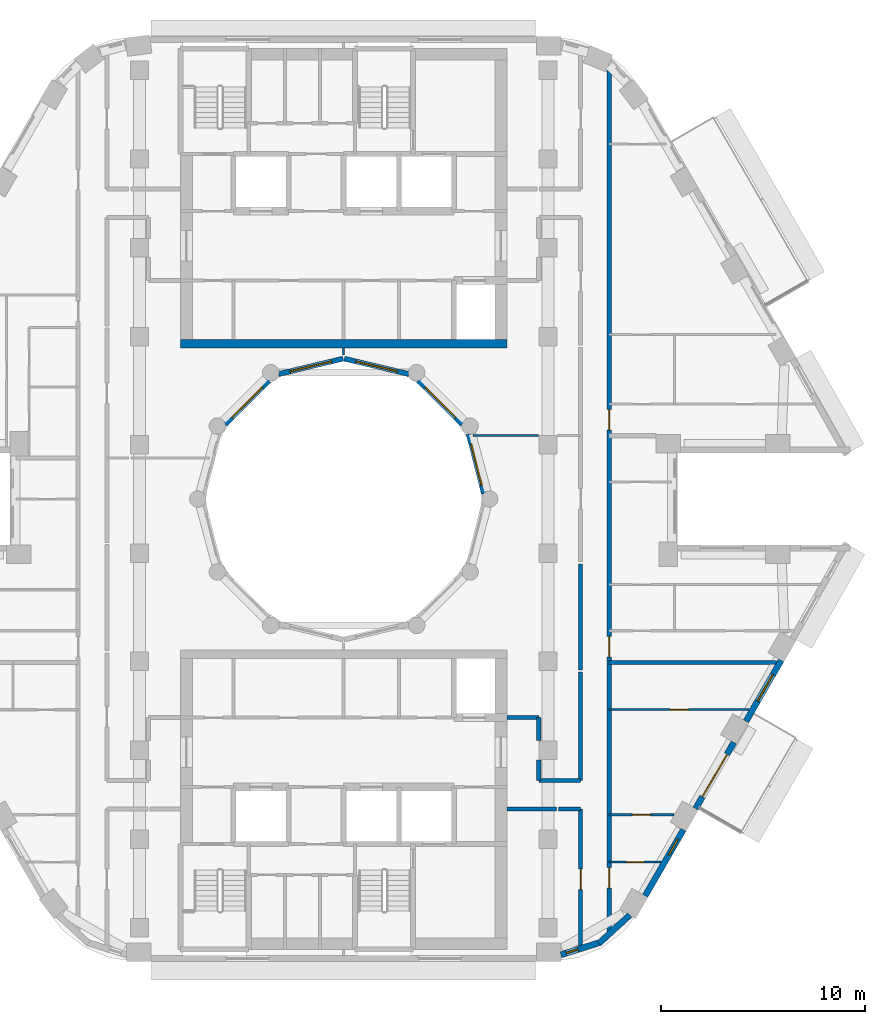
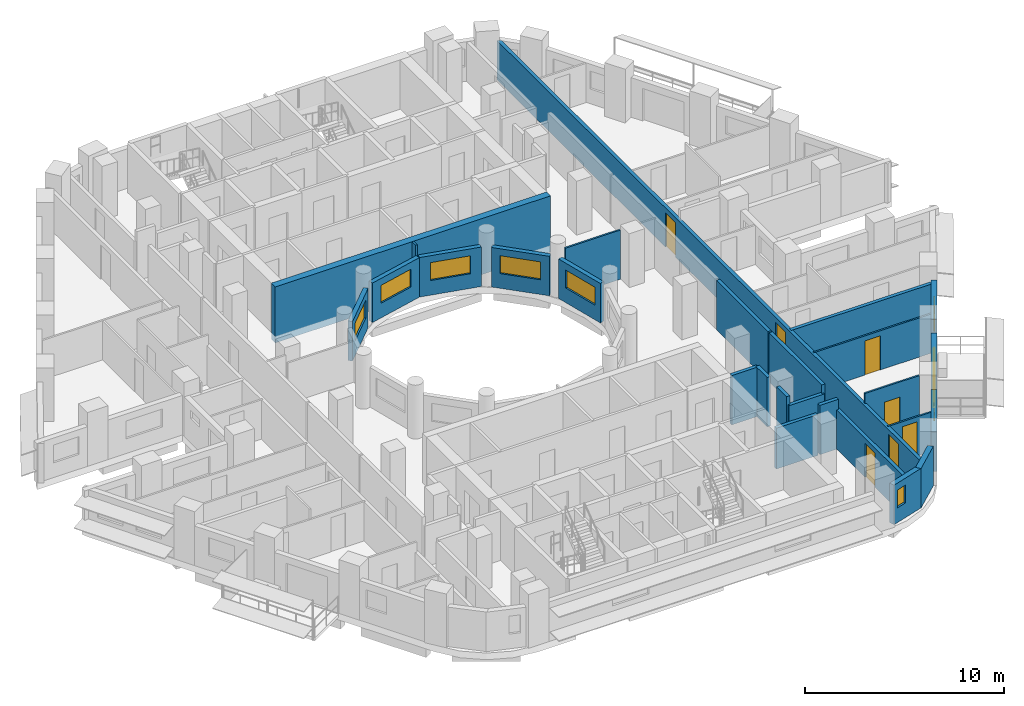
# One storey, part 6 of 18: 27 walls, 8 doors, 8 windows, 16 openings.
"""IFC4 building model written with IfcOpenShell, lengths in metres."""

import ifcopenshell
import ifcopenshell.guid

model = None  # the IFC model being written
_history = None  # IfcOwnerHistory: only IFC2X3 demands one
_inside = {}  # id of a spatial element -> (the spatial element, [elements in it])
_under = {}  # id of a project, library or spatial element -> (it, [spatial elements below it])
_declared = {}  # id of a project -> (the project, [libraries it declares])
_typed = {}  # id of a type object -> (the type object, [elements of that type])
_made_of = {}  # id of a material, layer set ... -> (it, [elements and type objects made of it])


def new_model(schema):
    """Start an empty IFC model of exactly this schema.

    Asked for "IFC4X3", IfcOpenShell would pick the latest addendum, in which some entities
    have other attributes; the version numbers below select the first issue.
    IFC2X3 requires an IfcOwnerHistory on every rooted entity: one is made here for all.
    """
    global model, _history
    if schema == "IFC4X3":
        model = ifcopenshell.file(schema_version=(4, 3, 0, 0))
    else:
        model = ifcopenshell.file(schema=schema)
    _inside.clear()
    _under.clear()
    _declared.clear()
    _typed.clear()
    _made_of.clear()
    _history = None
    if model.schema == "IFC2X3":
        org = make("IfcOrganization", Name="unknown")
        user = make(
            "IfcPersonAndOrganization",
            ThePerson=make("IfcPerson", FamilyName="unknown"),
            TheOrganization=org,
        )
        app = make(
            "IfcApplication",
            ApplicationDeveloper=org,
            Version="unknown",
            ApplicationFullName="unknown",
            ApplicationIdentifier="unknown",
        )
        _history = make(
            "IfcOwnerHistory",
            OwningUser=user,
            OwningApplication=app,
            ChangeAction="ADDED",
            CreationDate=0,
        )
    return model


def make(cls, **values):
    """One entity of the class cls with the attributes given. An attribute that is None is left unset."""
    return model.create_entity(
        cls, **{name: value for name, value in values.items() if value is not None}
    )


def rooted(cls, **values):
    """An entity with a GlobalId (a new one), such as an element, a storey or a relation."""
    return make(cls, GlobalId=ifcopenshell.guid.new(), OwnerHistory=_history, **values)


def si_unit(unit_type, name, prefix=None):
    """IfcSIUnit, for example si_unit("LENGTHUNIT", "METRE", prefix="MILLI")."""
    return make("IfcSIUnit", UnitType=unit_type, Prefix=prefix, Name=name)


def assignment(units):
    """IfcUnitAssignment: the units of a project."""
    return None if units is None else make("IfcUnitAssignment", Units=units)


def point(xyz):
    """IfcCartesianPoint."""
    return None if xyz is None else make("IfcCartesianPoint", Coordinates=xyz)


def direction(xyz):
    """IfcDirection."""
    return None if xyz is None else make("IfcDirection", DirectionRatios=xyz)


def frame(location, z_axis=None, x_axis=None):
    """IfcAxis2Placement3D, a coordinate frame: its origin and axes. An axis left out is left unset."""
    return make(
        "IfcAxis2Placement3D",
        Location=point(location),
        Axis=direction(z_axis),
        RefDirection=direction(x_axis),
    )


def frame_2d(location, x_axis=None):
    """IfcAxis2Placement2D, a coordinate frame in the plane: its origin and x axis."""
    return make(
        "IfcAxis2Placement2D", Location=point(location), RefDirection=direction(x_axis)
    )


def origin():
    """The frame at (0, 0, 0) with its axes left unset."""
    return frame((0.0, 0.0, 0.0))


def place(relative_to, where):
    """IfcLocalPlacement: puts the frame where relative to a parent placement (None: the world)."""
    return make(
        "IfcLocalPlacement", PlacementRelTo=relative_to, RelativePlacement=where
    )


def context(
    kind, dimensions, precision=None, world=None, true_north=None, identifier=None
):
    """IfcGeometricRepresentationContext, for example the 3D "Model" context."""
    return make(
        "IfcGeometricRepresentationContext",
        ContextIdentifier=identifier,
        ContextType=kind,
        CoordinateSpaceDimension=dimensions,
        Precision=precision,
        WorldCoordinateSystem=world,
        TrueNorth=true_north,
    )


def subcontext(parent, identifier, kind, view, scale=None):
    """IfcGeometricRepresentationSubContext, for example "Body" below "Model"."""
    return make(
        "IfcGeometricRepresentationSubContext",
        ContextIdentifier=identifier,
        ContextType=kind,
        ParentContext=parent,
        TargetScale=scale,
        TargetView=view,
    )


def project(units=None, contexts=None):
    """IfcProject with its units and contexts."""
    return rooted(
        "IfcProject",
        Name="project",
        RepresentationContexts=contexts,
        UnitsInContext=assignment(units),
    )


def spatial(cls, under=None, at=None, **own):
    """A site, building, storey or space (cls), placed at a placement, below another one or the project."""
    s = rooted(cls, ObjectPlacement=at, **own)
    if under is not None:
        _under.setdefault(under.id(), (under, []))[1].append(s)
    return s


def profile(cls, at=None, kind="AREA", **sizes):
    """A parametric profile (cls). Its sizes go by their IFC names, for example OverallWidth=200.0."""
    return make(cls, ProfileType=kind, Position=at, **sizes)


def rectangle(**sizes):
    """IfcRectangleProfileDef."""
    return profile("IfcRectangleProfileDef", **sizes)


def extrude(swept, where, along, depth):
    """IfcExtrudedAreaSolid: the profile swept, set in the frame where, extruded along a direction by depth."""
    return make(
        "IfcExtrudedAreaSolid",
        SweptArea=swept,
        Position=where,
        ExtrudedDirection=direction(along),
        Depth=depth,
    )


def shape(context_of_items, identifier, shape_type, items):
    """IfcShapeRepresentation: the items that make up one representation, for example the "Body"."""
    return make(
        "IfcShapeRepresentation",
        ContextOfItems=context_of_items,
        RepresentationIdentifier=identifier,
        RepresentationType=shape_type,
        Items=items,
    )


def material(Name=None, Category=None):
    """IfcMaterial."""
    return make("IfcMaterial", Name=Name, Category=Category)


def layer(
    of_material, thickness, ventilated=None, Name=None, Category=None, Priority=None
):
    """IfcMaterialLayer: one layer of a wall or slab, of a material (None: an air gap)."""
    return make(
        "IfcMaterialLayer",
        Material=of_material,
        LayerThickness=thickness,
        IsVentilated=ventilated,
        Name=Name,
        Category=Category,
        Priority=Priority,
    )


def layer_set(layers, Name=None):
    """IfcMaterialLayerSet."""
    return make("IfcMaterialLayerSet", MaterialLayers=layers, LayerSetName=Name)


def made_of(thing, what):
    """Note that an element or type object is made of a material, layer set ...; save() writes the relation."""
    if what is not None:
        _made_of.setdefault(what.id(), (what, []))[1].append(thing)
    return thing


def type_object(cls, material=None, **own):
    """A type object (cls), such as IfcWallType, which elements share."""
    return made_of(rooted(cls, **own), material)


def element(
    cls,
    number,
    at=None,
    inside=None,
    cuts=None,
    type_object=None,
    material=None,
    context=None,
    identifier="Body",
    shape_type=None,
    held_by="IfcProductDefinitionShape",
    body=None,
    shapes=None,
    **own,
):
    """One element of the class cls, such as IfcWall. Its Tag is "e" and its number.

    at: its placement. inside: the storey or other place that contains it. cuts: it is an
    opening in that element (IfcRelVoidsElement). A single representation is given by context,
    identifier, shape_type and body (its items); several are given by shapes. held_by: the class
    of the entity that holds the representations. save() writes the other relations.
    """
    e = rooted(cls, Tag="e%d" % number, ObjectPlacement=at, **own)
    if body is not None:
        shapes = [shape(context, identifier, shape_type, body)]
    if shapes is not None:
        e.Representation = make(held_by, Representations=shapes)
    if inside is not None:
        _inside.setdefault(inside.id(), (inside, []))[1].append(e)
    if cuts is not None:
        rooted(
            "IfcRelVoidsElement", RelatingBuildingElement=cuts, RelatedOpeningElement=e
        )
    if type_object is not None:
        _typed.setdefault(type_object.id(), (type_object, []))[1].append(e)
    return made_of(e, material)


def fill(opening, filler):
    """IfcRelFillsElement: the door or window that sits in an opening."""
    return rooted(
        "IfcRelFillsElement",
        RelatingOpeningElement=opening,
        RelatedBuildingElement=filler,
    )


def aggregate(whole, parts):
    """IfcRelAggregates: a whole, such as a stair, and the parts it consists of."""
    return rooted("IfcRelAggregates", RelatingObject=whole, RelatedObjects=parts)


def save(model, path):
    """Write the relations noted so far, then the file.

    IfcRelAggregates (storeys below a building ...), IfcRelContainedInSpatialStructure (elements
    in a storey), IfcRelDefinesByType, IfcRelAssociatesMaterial and IfcRelDeclares: one each for
    every whole, place, type object, material and project.
    """
    for whole, parts in _under.values():
        aggregate(whole, parts)
    for where, things in _inside.values():
        rooted(
            "IfcRelContainedInSpatialStructure",
            RelatedElements=things,
            RelatingStructure=where,
        )
    for kind, things in _typed.values():
        rooted("IfcRelDefinesByType", RelatedObjects=things, RelatingType=kind)
    for what, things in _made_of.values():
        rooted("IfcRelAssociatesMaterial", RelatedObjects=things, RelatingMaterial=what)
    for by, libraries in _declared.values():
        rooted("IfcRelDeclares", RelatingContext=by, RelatedDefinitions=libraries)
    model.write(path)


model = new_model("IFC4")

# Units and contexts
model_context = context("Model", 3, precision=1e-05, world=origin(), true_north=direction((0.0, 1.0)))
body_context = subcontext(model_context, "Body", "Model", "MODEL_VIEW")
ifc_project = project(units=[si_unit("LENGTHUNIT", "METRE"), si_unit("AREAUNIT", "SQUARE_METRE"), si_unit("VOLUMEUNIT", "CUBIC_METRE"), si_unit("PLANEANGLEUNIT", "RADIAN"), si_unit("MASSUNIT", "GRAM", prefix="KILO")], contexts=[model_context])

# Site, building, storey
site_placement = place(None, origin())
site = spatial("IfcSite", under=ifc_project, at=site_placement, CompositionType="ELEMENT")
building_placement = place(site_placement, origin())
building = spatial("IfcBuilding", under=site, at=building_placement, Name="Nakaniwa Court", CompositionType="ELEMENT")
storey_placement = place(building_placement, frame((0.0, 0.0, 176.699951171875)))
storey = spatial("IfcBuildingStorey", under=building, at=storey_placement, Name="L45", CompositionType="ELEMENT", Elevation=176.699951171875)

# Wall, opening, door
ifc_material_1 = material(Name="Acoustic double stud partition")
ifc_layer_1 = layer(ifc_material_1, 0.199951171875)
ifc_layer_set_1 = layer_set([ifc_layer_1], Name="Acoustic double stud partition")
wall_type_1 = type_object("IfcWallType", Name="Acoustic double stud partition 200", PredefinedType="PARTITIONING", material=ifc_layer_set_1)
wall_1_placement = place(storey_placement, frame((91.60009765625, 57.92626953125, 0.0), z_axis=(0.0, 0.0, 1.0), x_axis=(0.0, 1.0, 0.0)))
wall_1 = element("IfcWall", 1, at=wall_1_placement, inside=storey, type_object=wall_type_1, Name="Partition PW-071", PredefinedType="PARTITIONING", context=body_context, shape_type="SweptSolid", body=[
    extrude(rectangle(XDim=6.898681640625, YDim=0.199951171875, at=frame_2d((3.44921875, 0.0))), origin(), (0.0, 0.0, 1.0), 2.405029296875),
])
opening_1_placement = place(wall_1_placement, frame((2.948974609375, 0.0, 0.0)))
opening_1 = element("IfcOpeningElement", 2, at=opening_1_placement, cuts=wall_1, Name="Opening D-02-01", PredefinedType="OPENING", context=body_context, shape_type="SweptSolid", body=[
    extrude(rectangle(XDim=1.0, YDim=2.10009765625, at=frame_2d((0.5, 1.050048828125))), frame((0.0, 0.10986328125, 0.0), z_axis=(0.0, -1.0, 0.0), x_axis=(1.0, 0.0, 0.0)), (0.0, 0.0, 1.0), 0.219970703125),
])
ifc_material_2 = material(Name="Solid core timber door set, black veneer", Category="wood")
door_type_1 = type_object("IfcDoorType", Name="Internal door 1000", OperationType="NOTDEFINED", PredefinedType="DOOR", material=ifc_material_2)
door_1_placement = place(opening_1_placement, origin())
door_1 = element("IfcDoor", 3, at=door_1_placement, inside=storey, type_object=door_type_1, Name="Door D-02-01 L45-027", OperationType="SINGLE_SWING_RIGHT", OverallHeight=2.10009765625, OverallWidth=1.0, PredefinedType="DOOR", context=body_context, shape_type="SweptSolid", body=[
    extrude(rectangle(XDim=1.0, YDim=2.10009765625, at=frame_2d((0.5, 1.050048828125))), frame((0.0, 0.02490234375, 0.0), z_axis=(0.0, -1.0, 0.0), x_axis=(1.0, 0.0, 0.0)), (0.0, 0.0, 1.0), 0.050048828125),
])
fill(opening_1, door_1)

# Walls
wall_2_placement = place(storey_placement, frame((91.60009765625, 66.22509765625, 0.0), z_axis=(0.0, 0.0, 1.0), x_axis=(0.0, 1.0, 0.0)))
element("IfcWall", 4, at=wall_2_placement, inside=storey, type_object=wall_type_1, Name="Partition PW-072", PredefinedType="PARTITIONING", context=body_context, shape_type="SweptSolid", body=[
    extrude(rectangle(XDim=5.297607421875, YDim=0.199951171875, at=frame_2d((2.64892578125, 0.0))), origin(), (0.0, 0.0, 1.0), 3.025146484375),
])
wall_3_placement = place(storey_placement, frame((91.60009765625, 71.63720703125, 0.0), z_axis=(0.0, 0.0, 1.0), x_axis=(0.0, 1.0, 0.0)))
element("IfcWall", 5, at=wall_3_placement, inside=storey, type_object=wall_type_1, Name="Partition PW-073", PredefinedType="PARTITIONING", context=body_context, shape_type="SweptSolid", body=[
    extrude(rectangle(XDim=5.185546875, YDim=0.199951171875, at=frame_2d((2.5927734375, 0.0))), origin(), (0.0, 0.0, 1.0), 3.025146484375),
])
wall_4_placement = place(storey_placement, frame((88.0, 64.824951171875, 0.0), z_axis=(0.0, 0.0, 1.0), x_axis=(1.0, 0.0, 0.0)))
element("IfcWall", 6, at=wall_4_placement, inside=storey, type_object=wall_type_1, Name="Partition PW-079", PredefinedType="PARTITIONING", context=body_context, shape_type="SweptSolid", body=[
    extrude(rectangle(XDim=2.412841796875, YDim=0.199951171875, at=frame_2d((1.20654296875, 0.0))), origin(), (0.0, 0.0, 1.0), 2.505126953125),
])
wall_5_placement = place(storey_placement, frame((90.527099609375, 64.824951171875, 0.0), z_axis=(0.0, 0.0, 1.0), x_axis=(1.0, 0.0, 0.0)))
element("IfcWall", 7, at=wall_5_placement, inside=storey, type_object=wall_type_1, Name="Partition PW-080", PredefinedType="PARTITIONING", context=body_context, shape_type="SweptSolid", body=[
    extrude(rectangle(XDim=1.072998046875, YDim=0.199951171875, at=frame_2d((0.53662109375, 0.0))), origin(), (0.0, 0.0, 1.0), 3.025146484375),
])

# Wall, openings, doors
wall_6_placement = place(storey_placement, frame((93.0, 101.28076171875, 0.0), z_axis=(0.0, 0.0, 1.0), x_axis=(0.0, -1.0, 0.0)))
wall_6 = element("IfcWall", 8, at=wall_6_placement, inside=storey, type_object=wall_type_1, Name="Partition PW-081", PredefinedType="PARTITIONING", context=body_context, shape_type="SweptSolid", body=[
    extrude(rectangle(XDim=42.6064453125, YDim=0.199951171875, at=frame_2d((21.30322265625, 0.0))), origin(), (0.0, 0.0, 1.0), 2.405029296875),
])
opening_2_placement = place(wall_6_placement, frame((39.330078125, 0.0, 0.0)))
opening_2 = element("IfcOpeningElement", 9, at=opening_2_placement, cuts=wall_6, Name="Opening D-01-01", PredefinedType="OPENING", context=body_context, shape_type="SweptSolid", body=[
    extrude(rectangle(XDim=1.0, YDim=2.10009765625, at=frame_2d((0.5, 1.050048828125))), frame((0.0, 0.10986328125, 0.0), z_axis=(0.0, -1.0, 0.0), x_axis=(1.0, 0.0, 0.0)), (0.0, 0.0, 1.0), 0.219970703125),
])
opening_3_placement = place(wall_6_placement, frame((28.0048828125, 0.0, 0.0)))
opening_3 = element("IfcOpeningElement", 10, at=opening_3_placement, cuts=wall_6, Name="Opening D-01-02", PredefinedType="OPENING", context=body_context, shape_type="SweptSolid", body=[
    extrude(rectangle(XDim=1.0, YDim=2.10009765625, at=frame_2d((0.5, 1.050048828125))), frame((0.0, 0.10986328125, 0.0), z_axis=(0.0, -1.0, 0.0), x_axis=(1.0, 0.0, 0.0)), (0.0, 0.0, 1.0), 0.219970703125),
])
opening_4_placement = place(wall_6_placement, frame((16.905029296875, 0.0, 0.0)))
opening_4 = element("IfcOpeningElement", 11, at=opening_4_placement, cuts=wall_6, Name="Opening D-01-03", PredefinedType="OPENING", context=body_context, shape_type="SweptSolid", body=[
    extrude(rectangle(XDim=1.0, YDim=2.10009765625, at=frame_2d((0.5, 1.050048828125))), frame((0.0, 0.10986328125, 0.0), z_axis=(0.0, -1.0, 0.0), x_axis=(1.0, 0.0, 0.0)), (0.0, 0.0, 1.0), 0.219970703125),
])
door_type_2 = type_object("IfcDoorType", Name="Flat entrance door 1000", OperationType="NOTDEFINED", PredefinedType="DOOR", material=ifc_material_2)
door_2_placement = place(opening_2_placement, origin())
door_2 = element("IfcDoor", 12, at=door_2_placement, inside=storey, type_object=door_type_2, Name="Door D-01-01 L45-028", OperationType="SINGLE_SWING_LEFT", OverallHeight=2.10009765625, OverallWidth=1.0, PredefinedType="DOOR", context=body_context, shape_type="SweptSolid", body=[
    extrude(rectangle(XDim=1.0, YDim=2.10009765625, at=frame_2d((0.5, 1.050048828125))), frame((0.0, 0.02490234375, 0.0), z_axis=(0.0, -1.0, 0.0), x_axis=(1.0, 0.0, 0.0)), (0.0, 0.0, 1.0), 0.050048828125),
])
fill(opening_2, door_2)
door_3_placement = place(opening_3_placement, origin())
door_3 = element("IfcDoor", 13, at=door_3_placement, inside=storey, type_object=door_type_2, Name="Door D-01-02 L45-033", OperationType="SINGLE_SWING_RIGHT", OverallHeight=2.10009765625, OverallWidth=1.0, PredefinedType="DOOR", context=body_context, shape_type="SweptSolid", body=[
    extrude(rectangle(XDim=1.0, YDim=2.10009765625, at=frame_2d((0.5, 1.050048828125))), frame((0.0, 0.02490234375, 0.0), z_axis=(0.0, -1.0, 0.0), x_axis=(1.0, 0.0, 0.0)), (0.0, 0.0, 1.0), 0.050048828125),
])
fill(opening_3, door_3)
door_4_placement = place(opening_4_placement, origin())
door_4 = element("IfcDoor", 14, at=door_4_placement, inside=storey, type_object=door_type_2, Name="Door D-01-03 L45-039", OperationType="SINGLE_SWING_RIGHT", OverallHeight=2.10009765625, OverallWidth=1.0, PredefinedType="DOOR", context=body_context, shape_type="SweptSolid", body=[
    extrude(rectangle(XDim=1.0, YDim=2.10009765625, at=frame_2d((0.5, 1.050048828125))), frame((0.0, 0.02490234375, 0.0), z_axis=(0.0, -1.0, 0.0), x_axis=(1.0, 0.0, 0.0)), (0.0, 0.0, 1.0), 0.050048828125),
])
fill(opening_4, door_4)

# Walls
wall_7_placement = place(storey_placement, frame((88.0, 69.300048828125, 0.0), z_axis=(0.0, 0.0, 1.0), x_axis=(1.0, 0.0, 0.0)))
element("IfcWall", 15, at=wall_7_placement, inside=storey, type_object=wall_type_1, Name="Partition PW-083", PredefinedType="PARTITIONING", context=body_context, shape_type="SweptSolid", body=[
    extrude(rectangle(XDim=1.550048828125, YDim=0.199951171875, at=frame_2d((0.77490234375, 0.0))), origin(), (0.0, 0.0, 1.0), 3.025146484375),
])
wall_8_placement = place(storey_placement, frame((89.550048828125, 66.22509765625, 0.0), z_axis=(0.0, 0.0, 1.0), x_axis=(0.0, 1.0, 0.0)))
element("IfcWall", 16, at=wall_8_placement, inside=storey, type_object=wall_type_1, Name="Partition PW-084", PredefinedType="PARTITIONING", context=body_context, shape_type="SweptSolid", body=[
    extrude(rectangle(XDim=1.0078125, YDim=0.199951171875, at=frame_2d((0.50390625, 0.0))), origin(), (0.0, 0.0, 1.0), 3.025146484375),
])
wall_9_placement = place(storey_placement, frame((89.550048828125, 68.167236328125, 0.0), z_axis=(0.0, 0.0, 1.0), x_axis=(0.0, 1.0, 0.0)))
element("IfcWall", 17, at=wall_9_placement, inside=storey, type_object=wall_type_1, Name="Partition PW-085", PredefinedType="PARTITIONING", context=body_context, shape_type="SweptSolid", body=[
    extrude(rectangle(XDim=1.1328125, YDim=0.199951171875, at=frame_2d((0.56640625, 0.0))), origin(), (0.0, 0.0, 1.0), 3.025146484375),
])
wall_10_placement = place(storey_placement, frame((89.550048828125, 66.22509765625, 0.0), z_axis=(0.0, 0.0, 1.0), x_axis=(1.0, 0.0, 0.0)))
element("IfcWall", 18, at=wall_10_placement, inside=storey, type_object=wall_type_1, Name="Partition PW-089", PredefinedType="PARTITIONING", context=body_context, shape_type="SweptSolid", body=[
    extrude(rectangle(XDim=2.050048828125, YDim=0.199951171875, at=frame_2d((1.02490234375, 0.0))), origin(), (0.0, 0.0, 1.0), 2.505126953125),
])
wall_11_placement = place(storey_placement, frame((93.001220703125, 72.0, 0.0), z_axis=(0.0, 0.0, 1.0), x_axis=(1.0, 0.0, 0.0)))
element("IfcWall", 19, at=wall_11_placement, inside=storey, type_object=wall_type_1, Name="Partition PW-120", PredefinedType="PARTITIONING", context=body_context, shape_type="SweptSolid", body=[
    extrude(rectangle(XDim=8.1875, YDim=0.199951171875, at=frame_2d((4.09375, 0.0))), origin(), (0.0, 0.0, 1.0), 2.405029296875),
])

# Wall, opening, window
ifc_material_3 = material(Name="Charcoal ceramic cladding")
ifc_layer_2 = layer(ifc_material_3, 0.02, Name="Ceramic cladding")
ifc_material_4 = material(Name="Ventilated air cavity")
ifc_layer_3 = layer(ifc_material_4, 0.04, ventilated=True, Name="Ventilated cavity")
ifc_material_5 = material(Name="Mineral wool insulation")
ifc_layer_4 = layer(ifc_material_5, 0.1, Name="Insulation")
ifc_material_6 = material(Name="Cement bonded sheathing board")
ifc_layer_5 = layer(ifc_material_6, 0.012, Name="Sheathing")
ifc_material_7 = material(Name="Cold-formed galvanised stud frame with mineral wool infill")
ifc_layer_6 = layer(ifc_material_7, 0.1, Name="Stud frame")
ifc_material_8 = material(Name="Fire-rated gypsum plasterboard lining")
ifc_layer_7 = layer(ifc_material_8, 0.028, Name="Lining")
ifc_layer_set_2 = layer_set([ifc_layer_2, ifc_layer_3, ifc_layer_4, ifc_layer_5, ifc_layer_6, ifc_layer_7], Name="Charcoal ceramic faced external wall system")
wall_type_2 = type_object("IfcWallType", Name="Black ceramic faced external wall 300", PredefinedType="SOLIDWALL", material=ifc_layer_set_2)
wall_12_placement = place(storey_placement, frame((90.6357421875, 57.684814453125, 0.0), z_axis=(0.0, 0.0, 1.0), x_axis=(0.95368324118, 0.300812691707, 0.0)))
wall_12 = element("IfcWall", 20, at=wall_12_placement, inside=storey, type_object=wall_type_2, Name="L45 external wall 27", PredefinedType="SOLIDWALL", context=body_context, shape_type="SweptSolid", body=[
    extrude(rectangle(XDim=2.053466796875, YDim=0.300048828125, at=frame_2d((1.02685546875, 0.0))), origin(), (0.0, 0.0, 1.0), 2.425048828125),
])
opening_5_placement = place(wall_12_placement, frame((0.271240234375, 0.0, 0.89990234375)))
opening_5 = element("IfcOpeningElement", 21, at=opening_5_placement, cuts=wall_12, Name="Opening W8.28", PredefinedType="OPENING", context=body_context, shape_type="SweptSolid", body=[
    extrude(rectangle(XDim=0.60009765625, YDim=1.10009765625, at=frame_2d((0.300048828125, 0.550048828125))), frame((0.0, 0.159912109375, 0.0), z_axis=(0.0, -1.0, 0.0), x_axis=(1.0, 0.0, 0.0)), (0.0, 0.0, 1.0), 0.320068359375),
])
ifc_material_9 = material(Name="Black anodised aluminium frame with dark low-E laminated double glazing", Category="aluminium")
window_type_1 = type_object("IfcWindowType", Name="Dark glass window 600x1100 sill 900", PartitioningType="SINGLE_PANEL", PredefinedType="WINDOW", material=ifc_material_9)
window_1_placement = place(opening_5_placement, origin())
window_1 = element("IfcWindow", 22, at=window_1_placement, inside=storey, type_object=window_type_1, Name="L45 habitable room window 27-0", OverallHeight=1.10009765625, OverallWidth=0.60009765625, PartitioningType="SINGLE_PANEL", PredefinedType="WINDOW", context=body_context, shape_type="SweptSolid", body=[
    extrude(rectangle(XDim=0.60009765625, YDim=1.10009765625, at=frame_2d((0.300048828125, 0.550048828125))), frame((0.0, 0.030029296875, 0.0), z_axis=(0.0, -1.0, 0.0), x_axis=(1.0, 0.0, 0.0)), (0.0, 0.0, 1.0), 0.06005859375),
])
fill(opening_5, window_1)

# Wall
wall_13_placement = place(storey_placement, frame((92.494140625, 58.243896484375, 0.0), z_axis=(0.0, 0.0, 1.0), x_axis=(0.73764876128, 0.675184645102, 0.0)))
element("IfcWall", 23, at=wall_13_placement, inside=storey, type_object=wall_type_2, Name="L45 external wall 28", PredefinedType="SOLIDWALL", context=body_context, shape_type="SweptSolid", body=[
    extrude(rectangle(XDim=2.048095703125, YDim=0.300048828125, at=frame_2d((1.02392578125, 0.0))), origin(), (0.0, 0.0, 1.0), 2.425048828125),
])

# Wall, opening, window
wall_14_placement = place(storey_placement, frame((94.760986328125, 60.566650390625, 0.0), z_axis=(0.0, 0.0, 1.0), x_axis=(0.499982088007, 0.866035745032, 0.0)))
wall_14 = element("IfcWall", 24, at=wall_14_placement, inside=storey, type_object=wall_type_2, Name="L45 external wall 29", PredefinedType="SOLIDWALL", context=body_context, shape_type="SweptSolid", body=[
    extrude(rectangle(XDim=3.744384765625, YDim=0.300048828125, at=frame_2d((1.8720703125, 0.0))), origin(), (0.0, 0.0, 1.0), 2.425048828125),
])
opening_6_placement = place(wall_14_placement, frame((2.318603515625, 0.0, 1.5)))
opening_6 = element("IfcOpeningElement", 25, at=opening_6_placement, cuts=wall_14, Name="Opening W10.29", PredefinedType="OPENING", context=body_context, shape_type="SweptSolid", body=[
    extrude(rectangle(XDim=0.89990234375, YDim=0.5, at=frame_2d((0.449951171875, 0.25))), frame((0.0, 0.159912109375, 0.0), z_axis=(0.0, -1.0, 0.0), x_axis=(1.0, 0.0, 0.0)), (0.0, 0.0, 1.0), 0.320068359375),
])
window_type_2 = type_object("IfcWindowType", Name="Dark glass window 900x500 sill 1500", PartitioningType="SINGLE_PANEL", PredefinedType="WINDOW", material=ifc_material_9)
window_2_placement = place(opening_6_placement, origin())
window_2 = element("IfcWindow", 26, at=window_2_placement, inside=storey, type_object=window_type_2, Name="L45 bathroom window 29-1", OverallHeight=0.5, OverallWidth=0.89990234375, PartitioningType="SINGLE_PANEL", PredefinedType="WINDOW", context=body_context, shape_type="SweptSolid", body=[
    extrude(rectangle(XDim=0.89990234375, YDim=0.5, at=frame_2d((0.449951171875, 0.25))), frame((0.0, 0.030029296875, 0.0), z_axis=(0.0, -1.0, 0.0), x_axis=(1.0, 0.0, 0.0)), (0.0, 0.0, 1.0), 0.06005859375),
])
fill(opening_6, window_2)

# Wall, opening, door
wall_15_placement = place(storey_placement, frame((97.22900390625, 64.841552734375, 0.0), z_axis=(0.0, 0.0, 1.0), x_axis=(0.500059225181, 0.86599120741, 0.0)))
wall_15 = element("IfcWall", 27, at=wall_15_placement, inside=storey, type_object=wall_type_2, Name="L45 external wall 30", PredefinedType="SOLIDWALL", context=body_context, shape_type="SweptSolid", body=[
    extrude(rectangle(XDim=3.744140625, YDim=0.300048828125, at=frame_2d((1.8720703125, 0.0))), origin(), (0.0, 0.0, 1.0), 2.425048828125),
])
opening_7_placement = place(wall_15_placement, frame((0.672119140625, 0.0, 0.0)))
opening_7 = element("IfcOpeningElement", 28, at=opening_7_placement, cuts=wall_15, Name="Opening XD13.03", PredefinedType="OPENING", context=body_context, shape_type="SweptSolid", body=[
    extrude(rectangle(XDim=2.39990234375, YDim=2.0, at=frame_2d((1.199951171875, 1.0))), frame((0.0, 0.159912109375, 0.0), z_axis=(0.0, -1.0, 0.0), x_axis=(1.0, 0.0, 0.0)), (0.0, 0.0, 1.0), 0.320068359375),
])
ifc_material_10 = material(Name="Black powder-coated aluminium frame with dark laminated glass", Category="aluminium")
door_type_3 = type_object("IfcDoorType", Name="Balcony sliding door 2400x2000", OperationType="DOUBLE_DOOR_SLIDING", PredefinedType="DOOR", material=ifc_material_10)
door_5_placement = place(opening_7_placement, origin())
door_5 = element("IfcDoor", 29, at=door_5_placement, inside=storey, type_object=door_type_3, Name="L45 balcony sliding door 02", OperationType="DOUBLE_DOOR_SLIDING", OverallHeight=2.0, OverallWidth=2.39990234375, PredefinedType="DOOR", context=body_context, shape_type="SweptSolid", body=[
    extrude(rectangle(XDim=2.39990234375, YDim=2.0, at=frame_2d((1.199951171875, 1.0))), frame((0.0, 0.02490234375, 0.0), z_axis=(0.0, -1.0, 0.0), x_axis=(1.0, 0.0, 0.0)), (0.0, 0.0, 1.0), 0.050048828125),
])
fill(opening_7, door_5)

# Wall, opening, window
wall_16_placement = place(storey_placement, frame((99.697265625, 69.116455078125, 0.0), z_axis=(0.0, 0.0, 1.0), x_axis=(0.499955427682, 0.866051136095, 0.0)))
wall_16 = element("IfcWall", 30, at=wall_16_placement, inside=storey, type_object=wall_type_2, Name="L45 external wall 31", PredefinedType="SOLIDWALL", context=body_context, shape_type="SweptSolid", body=[
    extrude(rectangle(XDim=3.447021484375, YDim=0.300048828125, at=frame_2d((1.7236328125, 0.0))), origin(), (0.0, 0.0, 1.0), 2.425048828125),
])
opening_8_placement = place(wall_16_placement, frame((1.14501953125, 0.0, 0.89990234375)))
opening_8 = element("IfcOpeningElement", 31, at=opening_8_placement, cuts=wall_16, Name="Opening W5.30", PredefinedType="OPENING", context=body_context, shape_type="SweptSolid", body=[
    extrude(rectangle(XDim=1.5, YDim=1.10009765625, at=frame_2d((0.75, 0.550048828125))), frame((0.0, 0.159912109375, 0.0), z_axis=(0.0, -1.0, 0.0), x_axis=(1.0, 0.0, 0.0)), (0.0, 0.0, 1.0), 0.320068359375),
])
window_type_3 = type_object("IfcWindowType", Name="Dark glass window 1500x1100 sill 900", PartitioningType="SINGLE_PANEL", PredefinedType="WINDOW", material=ifc_material_9)
window_3_placement = place(opening_8_placement, origin())
window_3 = element("IfcWindow", 32, at=window_3_placement, inside=storey, type_object=window_type_3, Name="L45 habitable room window 31-1", OverallHeight=1.10009765625, OverallWidth=1.5, PartitioningType="SINGLE_PANEL", PredefinedType="WINDOW", context=body_context, shape_type="SweptSolid", body=[
    extrude(rectangle(XDim=1.5, YDim=1.10009765625, at=frame_2d((0.75, 0.550048828125))), frame((0.0, 0.030029296875, 0.0), z_axis=(0.0, -1.0, 0.0), x_axis=(1.0, 0.0, 0.0)), (0.0, 0.0, 1.0), 0.06005859375),
])
fill(opening_8, window_3)

ifc_layer_8 = layer(ifc_material_3, 0.02, Name="Ceramic cladding")
ifc_layer_9 = layer(ifc_material_4, 0.04, ventilated=True, Name="Ventilated cavity")
ifc_layer_10 = layer(ifc_material_5, 0.075, Name="Insulation")
ifc_layer_11 = layer(ifc_material_6, 0.012, Name="Sheathing")
ifc_layer_12 = layer(ifc_material_7, 0.075, Name="Stud frame")
ifc_layer_13 = layer(ifc_material_8, 0.028, Name="Lining")
ifc_layer_set_3 = layer_set([ifc_layer_8, ifc_layer_9, ifc_layer_10, ifc_layer_11, ifc_layer_12, ifc_layer_13], Name="Charcoal ceramic faced external wall system")
wall_type_3 = type_object("IfcWallType", Name="Charcoal ceramic faced well wall 250", PredefinedType="SOLIDWALL", material=ifc_layer_set_3)
wall_17_placement = place(storey_placement, frame((74.1943359375, 83.660888671875, 0.0), z_axis=(0.0, 0.0, 1.0), x_axis=(0.707106781187, 0.707106781187, 0.0)))
wall_17 = element("IfcWall", 33, at=wall_17_placement, inside=storey, type_object=wall_type_3, Name="L45 external wall 43", PredefinedType="SOLIDWALL", context=body_context, shape_type="SweptSolid", body=[
    extrude(rectangle(XDim=3.033203125, YDim=0.25, at=frame_2d((1.5166015625, 0.0))), origin(), (0.0, 0.0, 1.0), 2.425048828125),
])
opening_9_placement = place(wall_17_placement, frame((0.466552734375, 0.0, 0.89990234375)))
opening_9 = element("IfcOpeningElement", 34, at=opening_9_placement, cuts=wall_17, Name="Opening W7.45", PredefinedType="OPENING", context=body_context, shape_type="SweptSolid", body=[
    extrude(rectangle(XDim=2.10009765625, YDim=1.10009765625, at=frame_2d((1.050048828125, 0.550048828125))), frame((0.0, 0.135009765625, 0.0), z_axis=(0.0, -1.0, 0.0), x_axis=(1.0, 0.0, 0.0)), (0.0, 0.0, 1.0), 0.27001953125),
])
window_type_4 = type_object("IfcWindowType", Name="Dark glass window 2100x1100 sill 900", PartitioningType="SINGLE_PANEL", PredefinedType="WINDOW", material=ifc_material_9)
window_4_placement = place(opening_9_placement, origin())
window_4 = element("IfcWindow", 35, at=window_4_placement, inside=storey, type_object=window_type_4, Name="L45 habitable room window 43-0", OverallHeight=1.10009765625, OverallWidth=2.10009765625, PartitioningType="SINGLE_PANEL", PredefinedType="WINDOW", context=body_context, shape_type="SweptSolid", body=[
    extrude(rectangle(XDim=2.10009765625, YDim=1.10009765625, at=frame_2d((1.050048828125, 0.550048828125))), frame((0.0, 0.030029296875, 0.0), z_axis=(0.0, -1.0, 0.0), x_axis=(1.0, 0.0, 0.0)), (0.0, 0.0, 1.0), 0.06005859375),
])
fill(opening_9, window_4)

wall_18_placement = place(storey_placement, frame((76.813720703125, 86.119384765625, 0.0), z_axis=(0.0, 0.0, 1.0), x_axis=(0.972773113459, 0.231759508395, 0.0)))
wall_18 = element("IfcWall", 36, at=wall_18_placement, inside=storey, type_object=wall_type_3, Name="L45 external wall 44", PredefinedType="SOLIDWALL", context=body_context, shape_type="SweptSolid", body=[
    extrude(rectangle(XDim=3.24560546875, YDim=0.25, at=frame_2d((1.622802734375, 0.0))), origin(), (0.0, 0.0, 1.0), 2.425048828125),
])
opening_10_placement = place(wall_18_placement, frame((0.57275390625, 0.0, 0.89990234375)))
opening_10 = element("IfcOpeningElement", 37, at=opening_10_placement, cuts=wall_18, Name="Opening W7.46", PredefinedType="OPENING", context=body_context, shape_type="SweptSolid", body=[
    extrude(rectangle(XDim=2.10009765625, YDim=1.10009765625, at=frame_2d((1.050048828125, 0.550048828125))), frame((0.0, 0.135009765625, 0.0), z_axis=(0.0, -1.0, 0.0), x_axis=(1.0, 0.0, 0.0)), (0.0, 0.0, 1.0), 0.27001953125),
])
window_5_placement = place(opening_10_placement, origin())
window_5 = element("IfcWindow", 38, at=window_5_placement, inside=storey, type_object=window_type_4, Name="L45 habitable room window 44-0", OverallHeight=1.10009765625, OverallWidth=2.10009765625, PartitioningType="SINGLE_PANEL", PredefinedType="WINDOW", context=body_context, shape_type="SweptSolid", body=[
    extrude(rectangle(XDim=2.10009765625, YDim=1.10009765625, at=frame_2d((1.050048828125, 0.550048828125))), frame((0.0, 0.030029296875, 0.0), z_axis=(0.0, -1.0, 0.0), x_axis=(1.0, 0.0, 0.0)), (0.0, 0.0, 1.0), 0.06005859375),
])
fill(opening_10, window_5)

wall_19_placement = place(storey_placement, frame((80.029052734375, 86.87158203125, 0.0), z_axis=(0.0, 0.0, 1.0), x_axis=(0.972773113459, -0.231759508395, 0.0)))
wall_19 = element("IfcWall", 39, at=wall_19_placement, inside=storey, type_object=wall_type_3, Name="L45 external wall 45", PredefinedType="SOLIDWALL", context=body_context, shape_type="SweptSolid", body=[
    extrude(rectangle(XDim=3.24560546875, YDim=0.25, at=frame_2d((1.622802734375, 0.0))), origin(), (0.0, 0.0, 1.0), 2.425048828125),
])
opening_11_placement = place(wall_19_placement, frame((0.57275390625, 0.0, 0.89990234375)))
opening_11 = element("IfcOpeningElement", 40, at=opening_11_placement, cuts=wall_19, Name="Opening W7.47", PredefinedType="OPENING", context=body_context, shape_type="SweptSolid", body=[
    extrude(rectangle(XDim=2.10009765625, YDim=1.10009765625, at=frame_2d((1.050048828125, 0.550048828125))), frame((0.0, 0.135009765625, 0.0), z_axis=(0.0, -1.0, 0.0), x_axis=(1.0, 0.0, 0.0)), (0.0, 0.0, 1.0), 0.27001953125),
])
window_6_placement = place(opening_11_placement, origin())
window_6 = element("IfcWindow", 41, at=window_6_placement, inside=storey, type_object=window_type_4, Name="L45 habitable room window 45-0", OverallHeight=1.10009765625, OverallWidth=2.10009765625, PartitioningType="SINGLE_PANEL", PredefinedType="WINDOW", context=body_context, shape_type="SweptSolid", body=[
    extrude(rectangle(XDim=2.10009765625, YDim=1.10009765625, at=frame_2d((1.050048828125, 0.550048828125))), frame((0.0, 0.030029296875, 0.0), z_axis=(0.0, -1.0, 0.0), x_axis=(1.0, 0.0, 0.0)), (0.0, 0.0, 1.0), 0.06005859375),
])
fill(opening_11, window_6)

wall_20_placement = place(storey_placement, frame((83.660888671875, 85.8056640625, 0.0), z_axis=(0.0, 0.0, 1.0), x_axis=(0.707106781187, -0.707106781187, 0.0)))
wall_20 = element("IfcWall", 42, at=wall_20_placement, inside=storey, type_object=wall_type_3, Name="L45 external wall 46", PredefinedType="SOLIDWALL", context=body_context, shape_type="SweptSolid", body=[
    extrude(rectangle(XDim=3.033203125, YDim=0.25, at=frame_2d((1.5166015625, 0.0))), origin(), (0.0, 0.0, 1.0), 2.425048828125),
])
opening_12_placement = place(wall_20_placement, frame((0.466552734375, 0.0, 0.89990234375)))
opening_12 = element("IfcOpeningElement", 43, at=opening_12_placement, cuts=wall_20, Name="Opening W7.48", PredefinedType="OPENING", context=body_context, shape_type="SweptSolid", body=[
    extrude(rectangle(XDim=2.10009765625, YDim=1.10009765625, at=frame_2d((1.050048828125, 0.550048828125))), frame((0.0, 0.135009765625, 0.0), z_axis=(0.0, -1.0, 0.0), x_axis=(1.0, 0.0, 0.0)), (0.0, 0.0, 1.0), 0.27001953125),
])
window_7_placement = place(opening_12_placement, origin())
window_7 = element("IfcWindow", 44, at=window_7_placement, inside=storey, type_object=window_type_4, Name="L45 habitable room window 46-0", OverallHeight=1.10009765625, OverallWidth=2.10009765625, PartitioningType="SINGLE_PANEL", PredefinedType="WINDOW", context=body_context, shape_type="SweptSolid", body=[
    extrude(rectangle(XDim=2.10009765625, YDim=1.10009765625, at=frame_2d((1.050048828125, 0.550048828125))), frame((0.0, 0.030029296875, 0.0), z_axis=(0.0, -1.0, 0.0), x_axis=(1.0, 0.0, 0.0)), (0.0, 0.0, 1.0), 0.06005859375),
])
fill(opening_12, window_7)

wall_21_placement = place(storey_placement, frame((86.11669921875, 83.186767578125, 0.0), z_axis=(0.0, 0.0, 1.0), x_axis=(0.247055971283, -0.969001211069, 0.0)))
wall_21 = element("IfcWall", 45, at=wall_21_placement, inside=storey, type_object=wall_type_3, Name="L45 external wall 47", PredefinedType="SOLIDWALL", context=body_context, shape_type="SweptSolid", body=[
    extrude(rectangle(XDim=3.010009765625, YDim=0.25, at=frame_2d((1.5048828125, 0.0))), origin(), (0.0, 0.0, 1.0), 2.425048828125),
])
opening_13_placement = place(wall_21_placement, frame((0.509521484375, 0.0, 0.89990234375)))
opening_13 = element("IfcOpeningElement", 46, at=opening_13_placement, cuts=wall_21, Name="Opening W7.49", PredefinedType="OPENING", context=body_context, shape_type="SweptSolid", body=[
    extrude(rectangle(XDim=2.10009765625, YDim=1.10009765625, at=frame_2d((1.050048828125, 0.550048828125))), frame((0.0, 0.135009765625, 0.0), z_axis=(0.0, -1.0, 0.0), x_axis=(1.0, 0.0, 0.0)), (0.0, 0.0, 1.0), 0.27001953125),
])
window_8_placement = place(opening_13_placement, origin())
window_8 = element("IfcWindow", 47, at=window_8_placement, inside=storey, type_object=window_type_4, Name="L45 habitable room window 47-1", OverallHeight=1.10009765625, OverallWidth=2.10009765625, PartitioningType="SINGLE_PANEL", PredefinedType="WINDOW", context=body_context, shape_type="SweptSolid", body=[
    extrude(rectangle(XDim=2.10009765625, YDim=1.10009765625, at=frame_2d((1.050048828125, 0.550048828125))), frame((0.0, 0.030029296875, 0.0), z_axis=(0.0, -1.0, 0.0), x_axis=(1.0, 0.0, 0.0)), (0.0, 0.0, 1.0), 0.06005859375),
])
fill(opening_13, window_8)

# Walls
ifc_material_11 = material(Name="Concrete C80/100", Category="concrete")
ifc_layer_14 = layer(ifc_material_11, 0.39990234375)
ifc_layer_set_4 = layer_set([ifc_layer_14], Name="Concrete C80/100")
wall_type_4 = type_object("IfcWallType", Name="Concrete core well wall 400 C80", PredefinedType="SHEAR", material=ifc_layer_set_4)
wall_22_placement = place(storey_placement, frame((72.00390625, 87.60009765625, -0.409912109375), z_axis=(0.0, 0.0, 1.0), x_axis=(1.0, 0.0, 0.0)))
element("IfcWall", 48, at=wall_22_placement, inside=storey, type_object=wall_type_4, Name="Core wall SW-144", PredefinedType="SHEAR", context=body_context, shape_type="SweptSolid", body=[
    extrude(rectangle(XDim=15.9921875, YDim=0.39990234375, at=frame_2d((7.99609375, 0.0))), origin(), (0.0, 0.0, 1.0), 3.43505859375),
])
ifc_material_12 = material(Name="Single stud plasterboard partition")
ifc_layer_15 = layer(ifc_material_12, 0.10009765625)
ifc_layer_set_5 = layer_set([ifc_layer_15], Name="Single stud plasterboard partition")
wall_type_5 = type_object("IfcWallType", Name="Single stud plasterboard partition 100", PredefinedType="PARTITIONING", material=ifc_layer_set_5)
wall_23_placement = place(storey_placement, frame((80.0, 87.048095703125, 0.0), z_axis=(0.0, 0.0, 1.0), x_axis=(0.0, 1.0, 0.0)))
element("IfcWall", 49, at=wall_23_placement, inside=storey, type_object=wall_type_5, Name="Partition PW-111", PredefinedType="PARTITIONING", context=body_context, shape_type="SweptSolid", body=[
    extrude(rectangle(XDim=0.351806640625, YDim=0.10009765625, at=frame_2d((0.17578125, 0.0))), origin(), (0.0, 0.0, 1.0), 3.025146484375),
])

# Wall, opening, door
wall_24_placement = place(storey_placement, frame((93.0009765625, 62.22509765625, 0.0), z_axis=(0.0, 0.0, 1.0), x_axis=(1.0, 0.0, 0.0)))
wall_24 = element("IfcWall", 50, at=wall_24_placement, inside=storey, type_object=wall_type_5, Name="Partition PW-114", PredefinedType="PARTITIONING", context=body_context, shape_type="SweptSolid", body=[
    extrude(rectangle(XDim=2.544189453125, YDim=0.10009765625, at=frame_2d((1.27197265625, 0.0))), origin(), (0.0, 0.0, 1.0), 2.405029296875),
])
opening_14_placement = place(wall_24_placement, frame((0.846923828125, 0.0, 0.0)))
opening_14 = element("IfcOpeningElement", 51, at=opening_14_placement, cuts=wall_24, Name="Opening D-03-01", PredefinedType="OPENING", context=body_context, shape_type="SweptSolid", body=[
    extrude(rectangle(XDim=0.85009765625, YDim=2.10009765625, at=frame_2d((0.425048828125, 1.050048828125))), frame((0.0, 0.06005859375, 0.0), z_axis=(0.0, -1.0, 0.0), x_axis=(1.0, 0.0, 0.0)), (0.0, 0.0, 1.0), 0.1201171875),
])
ifc_material_13 = material(Name="Moisture sealed timber door set", Category="wood")
door_type_4 = type_object("IfcDoorType", Name="Bathroom door 850", OperationType="NOTDEFINED", PredefinedType="DOOR", material=ifc_material_13)
door_6_placement = place(opening_14_placement, origin())
door_6 = element("IfcDoor", 52, at=door_6_placement, inside=storey, type_object=door_type_4, Name="Door D-03-01 L45-029", OperationType="SINGLE_SWING_RIGHT", OverallHeight=2.10009765625, OverallWidth=0.85009765625, PredefinedType="DOOR", context=body_context, shape_type="SweptSolid", body=[
    extrude(rectangle(XDim=0.85009765625, YDim=2.10009765625, at=frame_2d((0.425048828125, 1.050048828125))), frame((0.0, 0.02490234375, 0.0), z_axis=(0.0, -1.0, 0.0), x_axis=(1.0, 0.0, 0.0)), (0.0, 0.0, 1.0), 0.050048828125),
])
fill(opening_14, door_6)

wall_25_placement = place(storey_placement, frame((93.0009765625, 64.5400390625, 0.0), z_axis=(0.0, 0.0, 1.0), x_axis=(1.0, 0.0, 0.0)))
wall_25 = element("IfcWall", 53, at=wall_25_placement, inside=storey, type_object=wall_type_5, Name="Partition PW-116", PredefinedType="PARTITIONING", context=body_context, shape_type="SweptSolid", body=[
    extrude(rectangle(XDim=3.1650390625, YDim=0.10009765625, at=frame_2d((1.58251953125, 0.0))), origin(), (0.0, 0.0, 1.0), 3.025146484375),
])
opening_15_placement = place(wall_25_placement, frame((1.132080078125, 0.0, 0.0)))
opening_15 = element("IfcOpeningElement", 54, at=opening_15_placement, cuts=wall_25, Name="Opening D-33-01", PredefinedType="OPENING", context=body_context, shape_type="SweptSolid", body=[
    extrude(rectangle(XDim=0.89990234375, YDim=2.10009765625, at=frame_2d((0.449951171875, 1.050048828125))), frame((0.0, 0.06005859375, 0.0), z_axis=(0.0, -1.0, 0.0), x_axis=(1.0, 0.0, 0.0)), (0.0, 0.0, 1.0), 0.1201171875),
])
door_type_5 = type_object("IfcDoorType", Name="Internal door 900", OperationType="NOTDEFINED", PredefinedType="DOOR", material=ifc_material_2)
door_7_placement = place(opening_15_placement, origin())
door_7 = element("IfcDoor", 55, at=door_7_placement, inside=storey, type_object=door_type_5, Name="Door D-33-01 L45-030", OperationType="SINGLE_SWING_LEFT", OverallHeight=2.10009765625, OverallWidth=0.89990234375, PredefinedType="DOOR", context=body_context, shape_type="SweptSolid", body=[
    extrude(rectangle(XDim=0.89990234375, YDim=2.10009765625, at=frame_2d((0.449951171875, 1.050048828125))), frame((0.0, 0.02490234375, 0.0), z_axis=(0.0, -1.0, 0.0), x_axis=(1.0, 0.0, 0.0)), (0.0, 0.0, 1.0), 0.050048828125),
])
fill(opening_15, door_7)

wall_26_placement = place(storey_placement, frame((93.0009765625, 69.68505859375, 0.0), z_axis=(0.0, 0.0, 1.0), x_axis=(1.0, 0.0, 0.0)))
wall_26 = element("IfcWall", 56, at=wall_26_placement, inside=storey, type_object=wall_type_5, Name="Partition PW-118", PredefinedType="PARTITIONING", context=body_context, shape_type="SweptSolid", body=[
    extrude(rectangle(XDim=6.851318359375, YDim=0.10009765625, at=frame_2d((3.42578125, 0.0))), origin(), (0.0, 0.0, 1.0), 2.405029296875),
])
opening_16_placement = place(wall_26_placement, frame((2.97607421875, 0.0, 0.0)))
opening_16 = element("IfcOpeningElement", 57, at=opening_16_placement, cuts=wall_26, Name="Opening D-33-02", PredefinedType="OPENING", context=body_context, shape_type="SweptSolid", body=[
    extrude(rectangle(XDim=0.89990234375, YDim=2.10009765625, at=frame_2d((0.449951171875, 1.050048828125))), frame((0.0, 0.06005859375, 0.0), z_axis=(0.0, -1.0, 0.0), x_axis=(1.0, 0.0, 0.0)), (0.0, 0.0, 1.0), 0.1201171875),
])
door_8_placement = place(opening_16_placement, origin())
door_8 = element("IfcDoor", 58, at=door_8_placement, inside=storey, type_object=door_type_5, Name="Door D-33-02 L45-031", OperationType="SINGLE_SWING_RIGHT", OverallHeight=2.10009765625, OverallWidth=0.89990234375, PredefinedType="DOOR", context=body_context, shape_type="SweptSolid", body=[
    extrude(rectangle(XDim=0.89990234375, YDim=2.10009765625, at=frame_2d((0.449951171875, 1.050048828125))), frame((0.0, 0.02490234375, 0.0), z_axis=(0.0, -1.0, 0.0), x_axis=(1.0, 0.0, 0.0)), (0.0, 0.0, 1.0), 0.050048828125),
])
fill(opening_16, door_8)

# Wall
wall_27_placement = place(storey_placement, frame((86.328125, 83.10009765625, 0.0), z_axis=(0.0, 0.0, 1.0), x_axis=(1.0, 0.0, 0.0)))
element("IfcWall", 59, at=wall_27_placement, inside=storey, type_object=wall_type_5, Name="Partition PW-121", PredefinedType="PARTITIONING", context=body_context, shape_type="SweptSolid", body=[
    extrude(rectangle(XDim=3.201904296875, YDim=0.10009765625, at=frame_2d((1.60107421875, 0.0))), origin(), (0.0, 0.0, 1.0), 3.025146484375),
])

save(model, "model.ifc")
